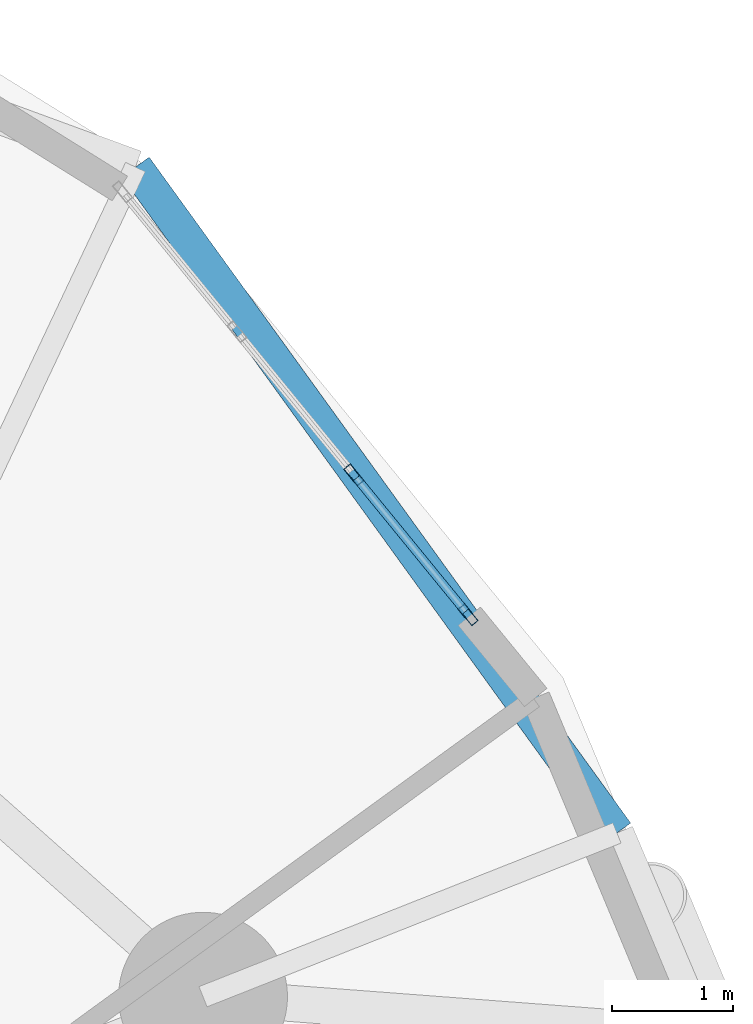
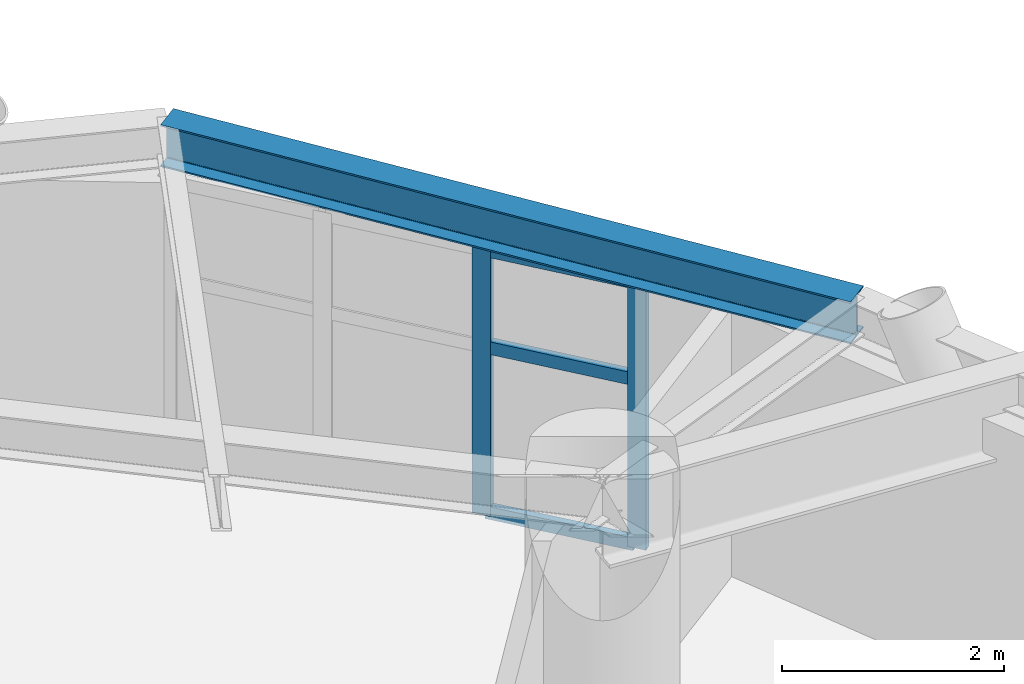
# One storey, part 3 of 19: 5 members, 1 beam, 1 element without a shape of its own.
"""IFC4 building model written with IfcOpenShell, lengths in metres."""

from ifc_helpers import new_model, si_unit, direction, frame, origin, origin_2d, place, context, subcontext, project, spatial, hollow_rectangle, i_section, extrude, material, layer, layer_set, material_profile, profile_set, type_object, element, aggregate, save


model = new_model("IFC4")

# Units and contexts
model_context = context("Model", 3, precision=1e-05, world=origin(), true_north=direction((0.0, 1.0)))
body_context = subcontext(model_context, "Body", "Model", "MODEL_VIEW")
ifc_project = project(units=[si_unit("LENGTHUNIT", "METRE"), si_unit("AREAUNIT", "SQUARE_METRE"), si_unit("VOLUMEUNIT", "CUBIC_METRE"), si_unit("PLANEANGLEUNIT", "RADIAN"), si_unit("MASSUNIT", "GRAM", prefix="KILO")], contexts=[model_context])

# Site, building, storey
site_placement = place(None, origin())
site = spatial("IfcSite", under=ifc_project, at=site_placement, CompositionType="ELEMENT")
building_placement = place(site_placement, origin())
building = spatial("IfcBuilding", under=site, at=building_placement, Name="Cununo Teusaquillo Station Towers", CompositionType="ELEMENT")
storey_placement = place(building_placement, frame((0.0, 0.0, 132.8798828125)))
storey = spatial("IfcBuildingStorey", under=building, at=storey_placement, Name="L42", CompositionType="ELEMENT", Elevation=132.8798828125)

# Beam
ifc_material_1 = material(Name="Steel ASTM A572 Grade 50", Category="steel")
ifc_material_profile_1 = material_profile(ifc_material_1, i_section(OverallWidth=0.280029296875, OverallDepth=0.462890625, WebThickness=0.0107421875, FlangeThickness=0.017333984375, FilletRadius=0.013916015625, at=origin_2d()), Name="W18X76")
ifc_profile_set_1 = profile_set([ifc_material_profile_1], Name="Steel ASTM A572 Grade 50")
beam_type = type_object("IfcBeamType", Name="BM-RING-Z2", PredefinedType="SPANDREL", material=ifc_profile_set_1)
beam_placement = place(storey_placement, frame((29.77880859375, 34.586181640625, 3.20849609375), z_axis=(-0.58594455724, 0.810351143543, 0.0), x_axis=(-0.810351143543, -0.58594455724, 0.0)))
element("IfcBeam", 1, at=beam_placement, inside=storey, type_object=beam_type, Name="L42 Tower A Spandrel Ring Beam 03", PredefinedType="SPANDREL", context=body_context, shape_type="SweptSolid", body=[
    extrude(i_section(OverallWidth=0.280029296875, OverallDepth=0.462890625, WebThickness=0.0107421875, FlangeThickness=0.017333984375, FilletRadius=0.013916015625, at=origin_2d()), origin(), (0.0, 0.0, 1.0), 6.8115234375),
])

# Curtain wall, members
ifc_material_2 = material(Name="Ceramic-fritted dark low-E double glazing", Category="glass")
ifc_layer = layer(ifc_material_2, 0.179931640625)
ifc_layer_set = layer_set([ifc_layer], Name="Ceramic-fritted dark low-E double glazing")
curtain_wall_type = type_object("IfcCurtainWallType", Name="CW-SYS-04", PredefinedType="USERDEFINED", material=ifc_layer_set)
curtain_wall_placement = place(storey_placement, origin())
curtain_wall = element("IfcCurtainWall", 2, at=curtain_wall_placement, inside=storey, type_object=curtain_wall_type, Name="L42 Tower A Facade Curtain Wall C02", ObjectType="FRITTED GLAZING", PredefinedType="USERDEFINED")
ifc_material_3 = material(Name="Anodised dark bronze aluminium EN AW-6063-T6", Category="aluminium")
ifc_material_profile_2 = material_profile(ifc_material_3, hollow_rectangle(XDim=0.070068359375, YDim=0.179931640625, WallThickness=0.00390625, at=origin_2d()), Name="CW-MULL-70x180")
ifc_profile_set_2 = profile_set([ifc_material_profile_2], Name="Anodised dark bronze aluminium EN AW-6063-T6")
member_type_1 = type_object("IfcMemberType", Name="CWM-180", PredefinedType="MULLION", material=ifc_profile_set_2)
member_1_placement = place(storey_placement, frame((27.59765625, 37.55419921875, 0.0), z_axis=(0.0, 0.0, 1.0), x_axis=(0.774394127889, 0.63270351247, 0.0)))
member_1 = element("IfcMember", 3, at=member_1_placement, type_object=member_type_1, Name="CW-04 mullion 3", PredefinedType="MULLION", context=body_context, shape_type="SweptSolid", body=[
    extrude(hollow_rectangle(XDim=0.070068359375, YDim=0.179931640625, WallThickness=0.00390625, at=origin_2d()), origin(), (0.0, 0.0, 1.0), 2.94921875),
])
member_2_placement = place(storey_placement, frame((28.54541015625, 36.394287109375, 0.0), z_axis=(0.0, 0.0, 1.0), x_axis=(0.774394127889, 0.63270351247, 0.0)))
member_2 = element("IfcMember", 4, at=member_2_placement, type_object=member_type_1, Name="CW-04 mullion 4", PredefinedType="MULLION", context=body_context, shape_type="SweptSolid", body=[
    extrude(hollow_rectangle(XDim=0.070068359375, YDim=0.179931640625, WallThickness=0.00390625, at=origin_2d()), origin(), (0.0, 0.0, 1.0), 2.94921875),
])
ifc_material_4 = material(Name="Anodised dark bronze aluminium EN AW-6063-T6", Category="aluminium")
ifc_material_profile_3 = material_profile(ifc_material_4, hollow_rectangle(XDim=0.070068359375, YDim=0.139892578125, WallThickness=0.00390625, at=origin_2d()), Name="CW-TRAN-70x140")
ifc_profile_set_3 = profile_set([ifc_material_profile_3], Name="Anodised dark bronze aluminium EN AW-6063-T6")
member_type_2 = type_object("IfcMemberType", Name="CWT-140", PredefinedType="USERDEFINED", material=ifc_profile_set_3)
member_3_placement = place(storey_placement, frame((27.619873046875, 37.527099609375, 0.03515625), z_axis=(0.632669622249, -0.774421815991, 0.0), x_axis=(0.774421815991, 0.632669622249, 0.0)))
member_3 = element("IfcMember", 5, at=member_3_placement, type_object=member_type_2, Name="CW-04 transom 3.1", ObjectType="TRANSOM", PredefinedType="USERDEFINED", context=body_context, shape_type="SweptSolid", body=[
    extrude(hollow_rectangle(XDim=0.070068359375, YDim=0.139892578125, WallThickness=0.00390625, at=origin_2d()), origin(), (0.0, 0.0, 1.0), 1.427734375),
])
member_4_placement = place(storey_placement, frame((27.619873046875, 37.527099609375, 1.85009765625), z_axis=(0.632669622249, -0.774421815991, 0.0), x_axis=(0.774421815991, 0.632669622249, 0.0)))
member_4 = element("IfcMember", 6, at=member_4_placement, type_object=member_type_2, Name="CW-04 transom 3.2", ObjectType="TRANSOM", PredefinedType="USERDEFINED", context=body_context, shape_type="SweptSolid", body=[
    extrude(hollow_rectangle(XDim=0.070068359375, YDim=0.139892578125, WallThickness=0.00390625, at=origin_2d()), origin(), (0.0, 0.0, 1.0), 1.427734375),
])
member_5_placement = place(storey_placement, frame((27.619873046875, 37.527099609375, 2.9140625), z_axis=(0.632669622249, -0.774421815991, 0.0), x_axis=(0.774421815991, 0.632669622249, 0.0)))
member_5 = element("IfcMember", 7, at=member_5_placement, type_object=member_type_2, Name="CW-04 transom 3.3", ObjectType="TRANSOM", PredefinedType="USERDEFINED", context=body_context, shape_type="SweptSolid", body=[
    extrude(hollow_rectangle(XDim=0.070068359375, YDim=0.139892578125, WallThickness=0.00390625, at=origin_2d()), origin(), (0.0, 0.0, 1.0), 1.427734375),
])
aggregate(curtain_wall, [member_1, member_2, member_3, member_4, member_5])

save(model, "model.ifc")
